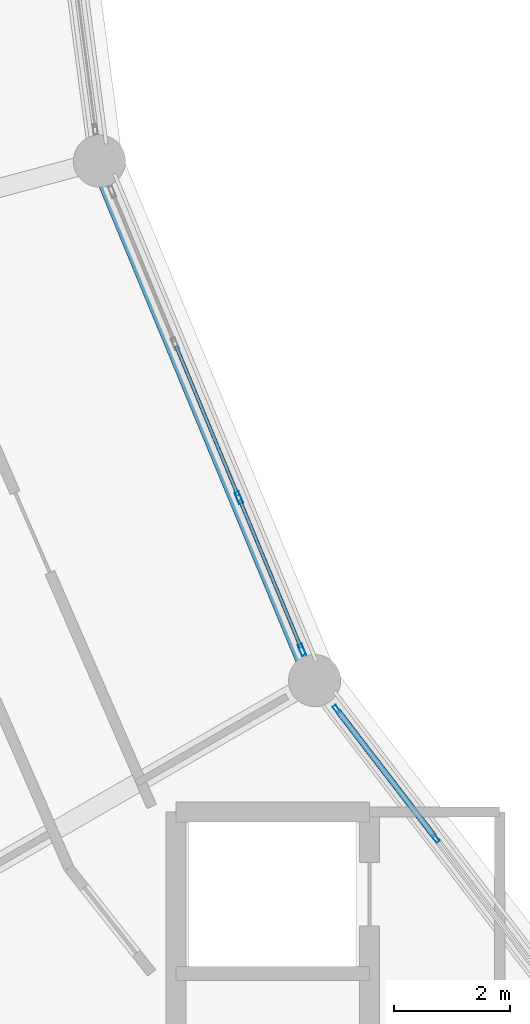
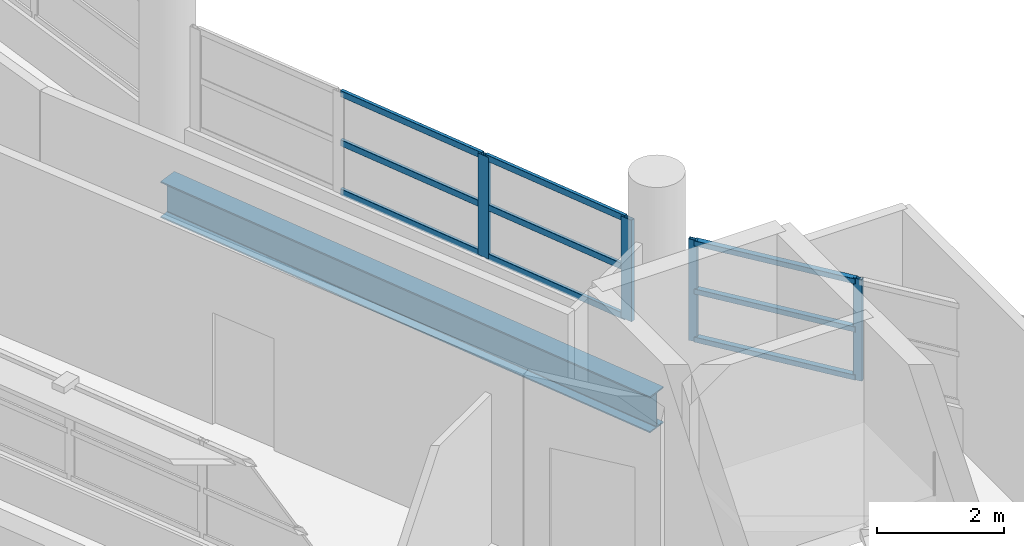
# One storey, part 23 of 121: 13 members, 1 beam, 2 elements without a shape of their own.
"""IFC4 building model written with IfcOpenShell, lengths in metres."""

from ifc_helpers import new_model, si_unit, direction, frame, origin, origin_2d, place, context, subcontext, project, spatial, hollow_rectangle, i_section, extrude, material, layer, layer_set, material_profile, profile_set, type_object, element, aggregate, save


model = new_model("IFC4")

# Units and contexts
model_context = context("Model", 3, precision=1e-05, world=origin(), true_north=direction((0.0, 1.0)))
body_context = subcontext(model_context, "Body", "Model", "MODEL_VIEW")
ifc_project = project(units=[si_unit("LENGTHUNIT", "METRE"), si_unit("AREAUNIT", "SQUARE_METRE"), si_unit("VOLUMEUNIT", "CUBIC_METRE"), si_unit("PLANEANGLEUNIT", "RADIAN"), si_unit("MASSUNIT", "GRAM", prefix="KILO")], contexts=[model_context])

# Site, building, storey
site_placement = place(None, origin())
site = spatial("IfcSite", under=ifc_project, at=site_placement, CompositionType="ELEMENT")
building_placement = place(site_placement, origin())
building = spatial("IfcBuilding", under=site, at=building_placement, Name="Vespera Passage Community Centre", CompositionType="ELEMENT")
storey_placement = place(building_placement, frame((0.0, 0.0, 8.699951171875)))
storey = spatial("IfcBuildingStorey", under=building, at=storey_placement, Name="L02", CompositionType="ELEMENT", Elevation=8.699951171875)

# Beam
ifc_material_1 = material(Name="Steel ASTM A992 Grade 50", Category="steel")
ifc_material_profile_1 = material_profile(ifc_material_1, i_section(OverallWidth=0.3544921875, OverallDepth=0.695556640625, WebThickness=0.015380859375, FlangeThickness=0.024658203125, FilletRadius=0.01513671875, at=origin_2d()), Name="W27X146")
ifc_profile_set_1 = profile_set([ifc_material_profile_1], Name="Steel ASTM A992 Grade 50")
beam_type = type_object("IfcBeamType", Name="BM-SP-W27X146E", PredefinedType="SPANDREL", material=ifc_profile_set_1)
beam_placement = place(storey_placement, frame((42.067626953125, 55.871826171875, -0.687744140625), z_axis=(0.382684844258, -0.923878947685, 0.0), x_axis=(0.923878947685, 0.382684844258, 0.0)))
element("IfcBeam", 1, at=beam_placement, inside=storey, type_object=beam_type, Name="V4 L02 Inner Spandrel 13", PredefinedType="SPANDREL", context=body_context, shape_type="SweptSolid", body=[
    extrude(i_section(OverallWidth=0.3544921875, OverallDepth=0.695556640625, WebThickness=0.015380859375, FlangeThickness=0.024658203125, FilletRadius=0.01513671875, at=origin_2d()), origin(), (0.0, 0.0, 1.0), 9.711181640625),
])

# Curtain wall, members
ifc_material_2 = material(Name="Anodized aluminium 6063-T6", Category="aluminium")
ifc_layer_1 = layer(ifc_material_2, 0.159912109375)
ifc_layer_set_1 = layer_set([ifc_layer_1], Name="Anodized aluminium 6063-T6")
curtain_wall_type_1 = type_object("IfcCurtainWallType", Name="CW-30E", PredefinedType="NOTDEFINED", material=ifc_layer_set_1)
curtain_wall_1_placement = place(storey_placement, origin())
curtain_wall_1 = element("IfcCurtainWall", 2, at=curtain_wall_1_placement, inside=storey, type_object=curtain_wall_type_1, Name="V4 L02 Inner Court Curtain Wall 14", PredefinedType="NOTDEFINED")
ifc_material_3 = material(Name="Anodized aluminium 6063-T6", Category="aluminium")
ifc_material_profile_2 = material_profile(ifc_material_3, hollow_rectangle(XDim=0.06494140625, YDim=0.14990234375, WallThickness=0.00390625, InnerFilletRadius=0.001953125, OuterFilletRadius=0.00390625, at=origin_2d()), Name="ALU150X65X4")
ifc_profile_set_2 = profile_set([ifc_material_profile_2], Name="Anodized aluminium 6063-T6")
member_type_1 = type_object("IfcMemberType", Name="MB-CWM-150E", PredefinedType="MULLION", material=ifc_profile_set_2)
member_1_placement = place(storey_placement, frame((46.164794921875, 46.403564453125, 0.820068359375), z_axis=(0.0, 0.0, 1.0), x_axis=(0.793358205999, 0.608755087843, 0.0)))
member_1 = element("IfcMember", 3, at=member_1_placement, type_object=member_type_1, Name="CW-30E mullion 1", PredefinedType="MULLION", context=body_context, shape_type="SweptSolid", body=[
    extrude(hollow_rectangle(XDim=0.06494140625, YDim=0.14990234375, WallThickness=0.00390625, InnerFilletRadius=0.001953125, OuterFilletRadius=0.00390625, at=origin_2d()), origin(), (0.0, 0.0, 1.0), 1.949462890625),
])
member_2_placement = place(storey_placement, frame((47.874755859375, 44.175048828125, 0.820068359375), z_axis=(0.0, 0.0, 1.0), x_axis=(0.793358205999, 0.608755087843, 0.0)))
member_2 = element("IfcMember", 4, at=member_2_placement, type_object=member_type_1, Name="CW-30E mullion 2", PredefinedType="MULLION", context=body_context, shape_type="SweptSolid", body=[
    extrude(hollow_rectangle(XDim=0.06494140625, YDim=0.14990234375, WallThickness=0.00390625, InnerFilletRadius=0.001953125, OuterFilletRadius=0.00390625, at=origin_2d()), origin(), (0.0, 0.0, 1.0), 1.949462890625),
])

ifc_material_4 = material(Name="Anodized aluminium 6063-T6", Category="aluminium")
ifc_layer_2 = layer(ifc_material_4, 0.159912109375)
ifc_layer_set_2 = layer_set([ifc_layer_2], Name="Anodized aluminium 6063-T6")
curtain_wall_type_2 = type_object("IfcCurtainWallType", Name="CW-25E", PredefinedType="NOTDEFINED", material=ifc_layer_set_2)
curtain_wall_2_placement = place(storey_placement, origin())
curtain_wall_2 = element("IfcCurtainWall", 5, at=curtain_wall_2_placement, inside=storey, type_object=curtain_wall_type_2, Name="V4 L02 Inner Court Curtain Wall 13", PredefinedType="NOTDEFINED")
ifc_material_5 = material(Name="Anodized aluminium 6063-T6", Category="aluminium")
ifc_material_profile_3 = material_profile(ifc_material_5, hollow_rectangle(XDim=0.074951171875, YDim=0.2099609375, WallThickness=0.0048828125, InnerFilletRadius=0.00244140625, OuterFilletRadius=0.0048828125, at=origin_2d()), Name="ALU210X75X5")
ifc_profile_set_3 = profile_set([ifc_material_profile_3], Name="Anodized aluminium 6063-T6")
member_type_2 = type_object("IfcMemberType", Name="MB-CWM-210E", PredefinedType="MULLION", material=ifc_profile_set_3)
member_3_placement = place(storey_placement, frame((44.476318359375, 50.056884765625, 0.820068359375), z_axis=(0.0, 0.0, 1.0), x_axis=(0.923876620096, 0.382690463482, 0.0)))
member_3 = element("IfcMember", 6, at=member_3_placement, type_object=member_type_2, Name="CW-25E mullion 3", PredefinedType="MULLION", context=body_context, shape_type="SweptSolid", body=[
    extrude(hollow_rectangle(XDim=0.074951171875, YDim=0.2099609375, WallThickness=0.0048828125, InnerFilletRadius=0.00244140625, OuterFilletRadius=0.0048828125, at=origin_2d()), origin(), (0.0, 0.0, 1.0), 1.949462890625),
])
member_4_placement = place(storey_placement, frame((45.56298828125, 47.433349609375, 0.820068359375), z_axis=(0.0, 0.0, 1.0), x_axis=(0.923876620096, 0.382690463482, 0.0)))
member_4 = element("IfcMember", 7, at=member_4_placement, type_object=member_type_2, Name="CW-25E mullion 4", PredefinedType="MULLION", context=body_context, shape_type="SweptSolid", body=[
    extrude(hollow_rectangle(XDim=0.074951171875, YDim=0.2099609375, WallThickness=0.0048828125, InnerFilletRadius=0.00244140625, OuterFilletRadius=0.0048828125, at=origin_2d()), origin(), (0.0, 0.0, 1.0), 1.949462890625),
])

# Member
ifc_material_6 = material(Name="Anodized aluminium 6063-T6", Category="aluminium")
ifc_material_profile_4 = material_profile(ifc_material_6, hollow_rectangle(XDim=0.10009765625, YDim=0.10009765625, WallThickness=0.00390625, InnerFilletRadius=0.001953125, OuterFilletRadius=0.00390625, at=origin_2d()), Name="ALU100X100X4")
ifc_profile_set_4 = profile_set([ifc_material_profile_4], Name="Anodized aluminium 6063-T6")
member_type_3 = type_object("IfcMemberType", Name="MB-CWT-100E", PredefinedType="USERDEFINED", material=ifc_profile_set_4)
member_5_placement = place(storey_placement, frame((46.1845703125, 46.3779296875, 0.8701171875), z_axis=(0.608704195162, -0.793397254086, 0.0), x_axis=(0.793397254086, 0.608704195162, 0.0)))
member_5 = element("IfcMember", 8, at=member_5_placement, type_object=member_type_3, Name="CW-30E transom 1.1", ObjectType="TRANSOM", PredefinedType="USERDEFINED", context=body_context, shape_type="SweptSolid", body=[
    extrude(hollow_rectangle(XDim=0.10009765625, YDim=0.10009765625, WallThickness=0.00390625, InnerFilletRadius=0.001953125, OuterFilletRadius=0.00390625, at=origin_2d()), origin(), (0.0, 0.0, 1.0), 2.744140625),
])

member_6_placement = place(storey_placement, frame((46.1845703125, 46.3779296875, 1.794677734375), z_axis=(0.608704195162, -0.793397254086, 0.0), x_axis=(0.793397254086, 0.608704195162, 0.0)))
member_6 = element("IfcMember", 9, at=member_6_placement, type_object=member_type_3, Name="CW-30E transom 1.2", ObjectType="TRANSOM", PredefinedType="USERDEFINED", context=body_context, shape_type="SweptSolid", body=[
    extrude(hollow_rectangle(XDim=0.10009765625, YDim=0.10009765625, WallThickness=0.00390625, InnerFilletRadius=0.001953125, OuterFilletRadius=0.00390625, at=origin_2d()), origin(), (0.0, 0.0, 1.0), 2.744140625),
])

member_7_placement = place(storey_placement, frame((46.1845703125, 46.3779296875, 2.719482421875), z_axis=(0.608704195162, -0.793397254086, 0.0), x_axis=(0.793397254086, 0.608704195162, 0.0)))
member_7 = element("IfcMember", 10, at=member_7_placement, type_object=member_type_3, Name="CW-30E transom 1.3", ObjectType="TRANSOM", PredefinedType="USERDEFINED", context=body_context, shape_type="SweptSolid", body=[
    extrude(hollow_rectangle(XDim=0.10009765625, YDim=0.10009765625, WallThickness=0.00390625, InnerFilletRadius=0.001953125, OuterFilletRadius=0.00390625, at=origin_2d()), origin(), (0.0, 0.0, 1.0), 2.744140625),
])

aggregate(curtain_wall_1, [member_1, member_2, member_5, member_6, member_7])

ifc_material_7 = material(Name="Anodized aluminium 6063-T6", Category="aluminium")
ifc_material_profile_5 = material_profile(ifc_material_7, hollow_rectangle(XDim=0.06005859375, YDim=0.1201171875, WallThickness=0.00390625, InnerFilletRadius=0.001953125, OuterFilletRadius=0.00390625, at=origin_2d()), Name="ALU120X60X4")
ifc_profile_set_5 = profile_set([ifc_material_profile_5], Name="Anodized aluminium 6063-T6")
member_type_4 = type_object("IfcMemberType", Name="MB-CWT-120E", PredefinedType="USERDEFINED", material=ifc_profile_set_5)
member_8_placement = place(storey_placement, frame((43.3896484375, 52.680419921875, 0.85009765625), z_axis=(0.382659588994, -0.923889408399, 0.0), x_axis=(0.923889408399, 0.382659588994, 0.0)))
member_8 = element("IfcMember", 11, at=member_8_placement, type_object=member_type_4, Name="CW-25E transom 2.1", ObjectType="TRANSOM", PredefinedType="USERDEFINED", context=body_context, shape_type="SweptSolid", body=[
    extrude(hollow_rectangle(XDim=0.06005859375, YDim=0.1201171875, WallThickness=0.00390625, InnerFilletRadius=0.001953125, OuterFilletRadius=0.00390625, at=origin_2d()), origin(), (0.0, 0.0, 1.0), 2.80224609375),
])

member_9_placement = place(storey_placement, frame((43.3896484375, 52.680419921875, 1.794677734375), z_axis=(0.382659588994, -0.923889408399, 0.0), x_axis=(0.923889408399, 0.382659588994, 0.0)))
member_9 = element("IfcMember", 12, at=member_9_placement, type_object=member_type_4, Name="CW-25E transom 2.2", ObjectType="TRANSOM", PredefinedType="USERDEFINED", context=body_context, shape_type="SweptSolid", body=[
    extrude(hollow_rectangle(XDim=0.06005859375, YDim=0.1201171875, WallThickness=0.00390625, InnerFilletRadius=0.001953125, OuterFilletRadius=0.00390625, at=origin_2d()), origin(), (0.0, 0.0, 1.0), 2.80224609375),
])

member_10_placement = place(storey_placement, frame((43.3896484375, 52.680419921875, 2.739501953125), z_axis=(0.382659588994, -0.923889408399, 0.0), x_axis=(0.923889408399, 0.382659588994, 0.0)))
member_10 = element("IfcMember", 13, at=member_10_placement, type_object=member_type_4, Name="CW-25E transom 2.3", ObjectType="TRANSOM", PredefinedType="USERDEFINED", context=body_context, shape_type="SweptSolid", body=[
    extrude(hollow_rectangle(XDim=0.06005859375, YDim=0.1201171875, WallThickness=0.00390625, InnerFilletRadius=0.001953125, OuterFilletRadius=0.00390625, at=origin_2d()), origin(), (0.0, 0.0, 1.0), 2.80224609375),
])

member_11_placement = place(storey_placement, frame((44.49072265625, 50.022216796875, 0.85009765625), z_axis=(0.382614353701, -0.923908142805, 0.0), x_axis=(0.923908142805, 0.382614353701, 0.0)))
member_11 = element("IfcMember", 14, at=member_11_placement, type_object=member_type_4, Name="CW-25E transom 3.1", ObjectType="TRANSOM", PredefinedType="USERDEFINED", context=body_context, shape_type="SweptSolid", body=[
    extrude(hollow_rectangle(XDim=0.06005859375, YDim=0.1201171875, WallThickness=0.00390625, InnerFilletRadius=0.001953125, OuterFilletRadius=0.00390625, at=origin_2d()), origin(), (0.0, 0.0, 1.0), 2.764892578125),
])

member_12_placement = place(storey_placement, frame((44.49072265625, 50.022216796875, 1.794677734375), z_axis=(0.382614353701, -0.923908142805, 0.0), x_axis=(0.923908142805, 0.382614353701, 0.0)))
member_12 = element("IfcMember", 15, at=member_12_placement, type_object=member_type_4, Name="CW-25E transom 3.2", ObjectType="TRANSOM", PredefinedType="USERDEFINED", context=body_context, shape_type="SweptSolid", body=[
    extrude(hollow_rectangle(XDim=0.06005859375, YDim=0.1201171875, WallThickness=0.00390625, InnerFilletRadius=0.001953125, OuterFilletRadius=0.00390625, at=origin_2d()), origin(), (0.0, 0.0, 1.0), 2.764892578125),
])

member_13_placement = place(storey_placement, frame((44.49072265625, 50.022216796875, 2.739501953125), z_axis=(0.382614353701, -0.923908142805, 0.0), x_axis=(0.923908142805, 0.382614353701, 0.0)))
member_13 = element("IfcMember", 16, at=member_13_placement, type_object=member_type_4, Name="CW-25E transom 3.3", ObjectType="TRANSOM", PredefinedType="USERDEFINED", context=body_context, shape_type="SweptSolid", body=[
    extrude(hollow_rectangle(XDim=0.06005859375, YDim=0.1201171875, WallThickness=0.00390625, InnerFilletRadius=0.001953125, OuterFilletRadius=0.00390625, at=origin_2d()), origin(), (0.0, 0.0, 1.0), 2.764892578125),
])

aggregate(curtain_wall_2, [member_3, member_4, member_8, member_9, member_10, member_11, member_12, member_13])

save(model, "model.ifc")
